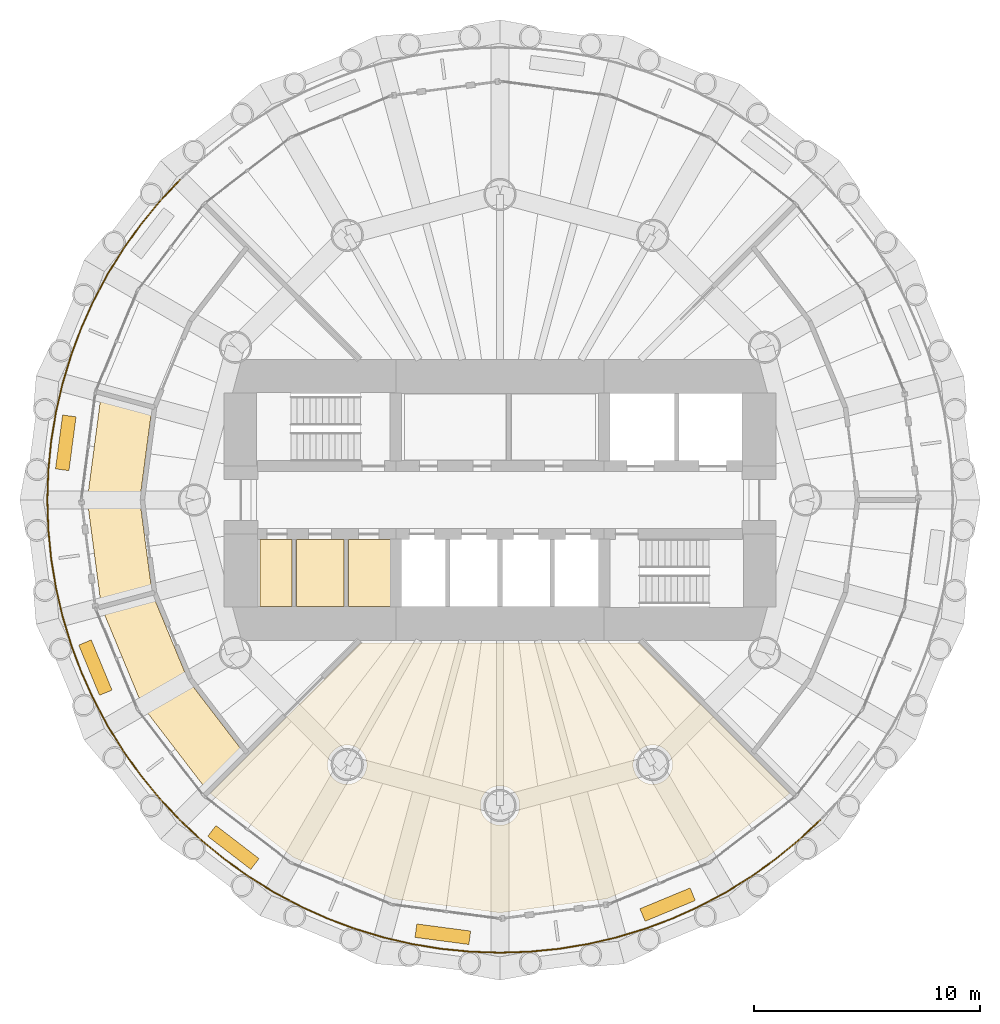
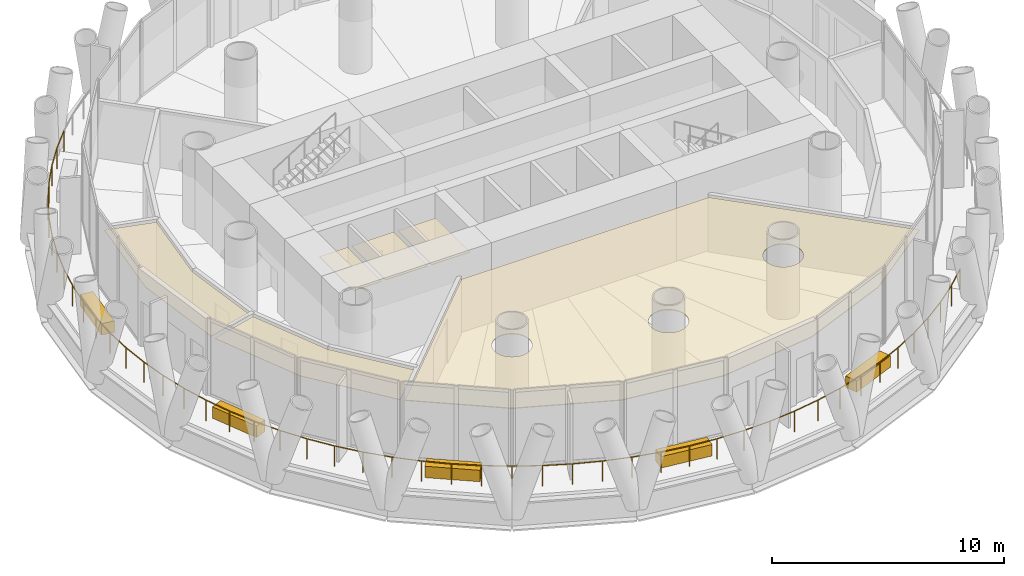
# One storey, part 10 of 12: 11 coverings, 2 railings.
"""IFC4 building model written with IfcOpenShell, lengths in metres."""

from ifc_helpers import new_model, si_unit, direction, frame, origin, origin_2d, place, context, subcontext, project, spatial, polyline, rectangle, circle, outline, extrude, material, layer, layer_set, type_object, element, save


model = new_model("IFC4")

# Units and contexts
model_context = context("Model", 3, precision=1e-05, world=origin(), true_north=direction((0.0, 1.0)))
body_context = subcontext(model_context, "Body", "Model", "MODEL_VIEW")
ifc_project = project(units=[si_unit("LENGTHUNIT", "METRE"), si_unit("AREAUNIT", "SQUARE_METRE"), si_unit("VOLUMEUNIT", "CUBIC_METRE"), si_unit("PLANEANGLEUNIT", "RADIAN"), si_unit("MASSUNIT", "GRAM", prefix="KILO")], contexts=[model_context])

# Site, building, storey
site_placement = place(None, origin())
site = spatial("IfcSite", under=ifc_project, at=site_placement, CompositionType="ELEMENT")
building_placement = place(site_placement, origin())
building = spatial("IfcBuilding", under=site, at=building_placement, Name="Qaws Media Tower", CompositionType="ELEMENT")
storey_placement = place(building_placement, frame((0.0, 0.0, 278.0)))
storey = spatial("IfcBuildingStorey", under=building, at=storey_placement, Name="L64", CompositionType="ELEMENT", Elevation=278.0)

# Covering
ifc_material_1 = material(Name="40 perforated acoustic panels with mineral wool backing, suspended", Category="mineral fibre")
ifc_layer_1 = layer(ifc_material_1, 0.0400390625)
ifc_layer_set_1 = layer_set([ifc_layer_1], Name="Acoustic panel ceiling 40")
covering_type_1 = type_object("IfcCoveringType", Name="Acoustic panel ceiling 40", PredefinedType="CEILING", material=ifc_layer_set_1)
covering_1_placement = place(storey_placement, frame((0.0, 0.0, 2.85009765625)))
element("IfcCovering", 1, at=covering_1_placement, inside=storey, type_object=covering_type_1, Name="CL3 ceiling L64-07 Private dining room", PredefinedType="CEILING", context=body_context, shape_type="SweptSolid", body=[
    extrude(outline(polyline([(69.11767578125, 34.207763671875), (64.719482421875, 32.385986328125), (60.0, 31.764892578125), (55.280517578125, 32.385986328125), (50.88232421875, 34.207763671875), (47.19580078125, 37.03662109375), (53.8466796875, 43.6875), (66.1533203125, 43.6875), (72.80419921875, 37.03662109375), (69.11767578125, 34.207763671875)]), holes=[polyline([(54.09130859375, 38.083251953125), (54.113525390625, 38.195068359375), (54.12109375, 38.30859375), (54.113525390625, 38.42236328125), (54.09130859375, 38.5341796875), (54.0546875, 38.64208984375), (54.00439453125, 38.744140625), (53.94091796875, 38.8388671875), (53.865966796875, 38.924560546875), (53.7802734375, 38.999755859375), (53.685546875, 39.06298828125), (53.583251953125, 39.11328125), (53.475341796875, 39.14990234375), (53.36376953125, 39.172119140625), (53.25, 39.1796875), (53.13623046875, 39.172119140625), (53.024658203125, 39.14990234375), (52.916748046875, 39.11328125), (52.814453125, 39.06298828125), (52.7197265625, 38.999755859375), (52.634033203125, 38.924560546875), (52.55908203125, 38.8388671875), (52.49560546875, 38.744140625), (52.4453125, 38.64208984375), (52.40869140625, 38.5341796875), (52.386474609375, 38.42236328125), (52.37890625, 38.30859375), (52.386474609375, 38.195068359375), (52.40869140625, 38.083251953125), (52.4453125, 37.975341796875), (52.49560546875, 37.873291015625), (52.55908203125, 37.7783203125), (52.634033203125, 37.69287109375), (52.7197265625, 37.61767578125), (52.814453125, 37.55419921875), (52.916748046875, 37.50390625), (53.024658203125, 37.46728515625), (53.13623046875, 37.445068359375), (53.25, 37.437744140625), (53.36376953125, 37.445068359375), (53.475341796875, 37.46728515625), (53.583251953125, 37.50390625), (53.685546875, 37.55419921875), (53.7802734375, 37.61767578125), (53.865966796875, 37.69287109375), (53.94091796875, 37.7783203125), (54.00439453125, 37.873291015625), (54.0546875, 37.975341796875), (54.09130859375, 38.083251953125)]), polyline([(60.84130859375, 36.274658203125), (60.863525390625, 36.38623046875), (60.87109375, 36.5), (60.863525390625, 36.61376953125), (60.84130859375, 36.725341796875), (60.8046875, 36.833251953125), (60.75439453125, 36.935546875), (60.69091796875, 37.0302734375), (60.615966796875, 37.115966796875), (60.5302734375, 37.19091796875), (60.435546875, 37.25439453125), (60.333251953125, 37.3046875), (60.225341796875, 37.34130859375), (60.11376953125, 37.363525390625), (60.0, 37.37109375), (59.88623046875, 37.363525390625), (59.774658203125, 37.34130859375), (59.666748046875, 37.3046875), (59.564453125, 37.25439453125), (59.4697265625, 37.19091796875), (59.384033203125, 37.115966796875), (59.30908203125, 37.0302734375), (59.24560546875, 36.935546875), (59.1953125, 36.833251953125), (59.15869140625, 36.725341796875), (59.136474609375, 36.61376953125), (59.12890625, 36.5), (59.136474609375, 36.38623046875), (59.15869140625, 36.274658203125), (59.1953125, 36.166748046875), (59.24560546875, 36.064453125), (59.30908203125, 35.9697265625), (59.384033203125, 35.884033203125), (59.4697265625, 35.80908203125), (59.564453125, 35.74560546875), (59.666748046875, 35.6953125), (59.774658203125, 35.65869140625), (59.88623046875, 35.636474609375), (60.0, 35.62890625), (60.11376953125, 35.636474609375), (60.225341796875, 35.65869140625), (60.333251953125, 35.6953125), (60.435546875, 35.74560546875), (60.5302734375, 35.80908203125), (60.615966796875, 35.884033203125), (60.69091796875, 35.9697265625), (60.75439453125, 36.064453125), (60.8046875, 36.166748046875), (60.84130859375, 36.274658203125)]), polyline([(67.5546875, 37.975341796875), (67.59130859375, 38.083251953125), (67.613525390625, 38.195068359375), (67.62109375, 38.30859375), (67.613525390625, 38.42236328125), (67.59130859375, 38.5341796875), (67.5546875, 38.64208984375), (67.50439453125, 38.744140625), (67.44091796875, 38.8388671875), (67.365966796875, 38.924560546875), (67.2802734375, 38.999755859375), (67.185546875, 39.06298828125), (67.083251953125, 39.11328125), (66.975341796875, 39.14990234375), (66.86376953125, 39.172119140625), (66.75, 39.1796875), (66.63623046875, 39.172119140625), (66.524658203125, 39.14990234375), (66.416748046875, 39.11328125), (66.314453125, 39.06298828125), (66.2197265625, 38.999755859375), (66.134033203125, 38.924560546875), (66.05908203125, 38.8388671875), (65.99560546875, 38.744140625), (65.9453125, 38.64208984375), (65.90869140625, 38.5341796875), (65.886474609375, 38.42236328125), (65.87890625, 38.30859375), (65.886474609375, 38.195068359375), (65.90869140625, 38.083251953125), (65.9453125, 37.975341796875), (65.99560546875, 37.873291015625), (66.05908203125, 37.7783203125), (66.134033203125, 37.69287109375), (66.2197265625, 37.61767578125), (66.314453125, 37.55419921875), (66.416748046875, 37.50390625), (66.524658203125, 37.46728515625), (66.63623046875, 37.445068359375), (66.75, 37.437744140625), (66.86376953125, 37.445068359375), (66.975341796875, 37.46728515625), (67.083251953125, 37.50390625), (67.185546875, 37.55419921875), (67.2802734375, 37.61767578125), (67.365966796875, 37.69287109375), (67.44091796875, 37.7783203125), (67.50439453125, 37.873291015625), (67.5546875, 37.975341796875)])]), origin(), (0.0, 0.0, 1.0), 0.039794921875),
])

# Railings
ifc_material_2 = material(Name="Stainless steel and glass guard", Category="steel")
railing_type = type_object("IfcRailingType", Name="Balcony guard 1100", PredefinedType="GUARDRAIL", material=ifc_material_2)
railing_1_placement = place(storey_placement, frame((45.85791015625, 64.14208984375, 0.0)))
element("IfcRailing", 2, at=railing_1_placement, inside=storey, type_object=railing_type, Name="GR1 balcony guard L64-2", PredefinedType="GUARDRAIL", context=body_context, shape_type="SweptSolid", body=[
    extrude(circle(Radius=0.02392578125, at=origin_2d()), frame((0.0, 0.0, 1.076171875), z_axis=(-0.683692877753, -0.729769860237, 0.0), x_axis=(0.729769860237, -0.683692877753, 0.0)), (0.0, 0.0, 1.0), 1.308837890625),
    extrude(circle(Radius=0.02392578125, at=origin_2d()), frame((-0.894775390625, -0.955078125, 1.076171875), z_axis=(-0.634405220754, -0.773000657102, 0.0), x_axis=(0.773000657102, -0.634405220754, 0.0)), (0.0, 0.0, 1.0), 1.308837890625),
    extrude(circle(Radius=0.02392578125, at=origin_2d()), frame((-1.72509765625, -1.966796875, 1.076171875), z_axis=(-0.582366936008, -0.812926043281, 0.0), x_axis=(0.812926043281, -0.582366936008, 0.0)), (0.0, 0.0, 1.0), 1.308837890625),
    extrude(circle(Radius=0.02392578125, at=origin_2d()), frame((-2.4873046875, -3.03076171875, 1.076171875), z_axis=(-0.528119576153, -0.849170014358, 0.0), x_axis=(0.849170014358, -0.528119576153, 0.0)), (0.0, 0.0, 1.0), 1.308837890625),
    extrude(circle(Radius=0.02392578125, at=origin_2d()), frame((-3.178466796875, -4.14208984375, 1.076171875), z_axis=(-0.471372268178, -0.881934342677, 0.0), x_axis=(0.881934342677, -0.471372268178, 0.0)), (0.0, 0.0, 1.0), 1.308837890625),
    extrude(circle(Radius=0.02392578125, at=origin_2d()), frame((-3.79541015625, -5.29638671875, 1.076171875), z_axis=(-0.412636063644, -0.910895975938, 0.0), x_axis=(0.910895975938, -0.412636063644, 0.0)), (0.0, 0.0, 1.0), 1.308837890625),
    extrude(circle(Radius=0.02392578125, at=origin_2d()), frame((-4.33544921875, -6.488525390625, 1.076171875), z_axis=(-0.352370123393, -0.935860724756, 0.0), x_axis=(0.935860724756, -0.352370123393, 0.0)), (0.0, 0.0, 1.0), 1.308837890625),
    extrude(circle(Radius=0.02392578125, at=origin_2d()), frame((-4.796630859375, -7.71337890625, 1.076171875), z_axis=(-0.290255896027, -0.95694906595, 0.0), x_axis=(0.95694906595, -0.290255896027, 0.0)), (0.0, 0.0, 1.0), 1.308837890625),
    extrude(circle(Radius=0.02392578125, at=origin_2d()), frame((-5.176513671875, -8.9658203125, 1.076171875), z_axis=(-0.227052677428, -0.973882478368, 0.0), x_axis=(0.973882478368, -0.227052677428, 0.0)), (0.0, 0.0, 1.0), 1.30859375),
    extrude(circle(Radius=0.02392578125, at=origin_2d()), frame((-5.4736328125, -10.240234375, 1.076171875), z_axis=(-0.162855987782, -0.986649850374, 0.0), x_axis=(0.986649850374, -0.162855987782, 0.0)), (0.0, 0.0, 1.0), 1.308837890625),
    extrude(circle(Radius=0.02392578125, at=origin_2d()), frame((-5.686767578125, -11.531494140625, 1.076171875), z_axis=(-0.098118447075, -0.995174743622, 0.0), x_axis=(0.995174743622, -0.098118447075, 0.0)), (0.0, 0.0, 1.0), 1.308837890625),
    extrude(circle(Radius=0.02392578125, at=origin_2d()), frame((-5.815185546875, -12.833984375, 1.076171875), z_axis=(-0.032644033644, -0.999467041511, 0.0), x_axis=(0.999467041511, -0.032644033644, 0.0)), (0.0, 0.0, 1.0), 1.308837890625),
    extrude(circle(Radius=0.02392578125, at=origin_2d()), frame((-5.85791015625, -14.14208984375, 1.076171875), z_axis=(0.032644033644, -0.999467041511, 0.0), x_axis=(0.999467041511, 0.032644033644, 0.0)), (0.0, 0.0, 1.0), 1.308837890625),
    extrude(circle(Radius=0.02392578125, at=origin_2d()), frame((-5.815185546875, -15.4501953125, 1.076171875), z_axis=(0.098118447075, -0.995174743622, 0.0), x_axis=(0.995174743622, 0.098118447075, 0.0)), (0.0, 0.0, 1.0), 1.308837890625),
    extrude(circle(Radius=0.02392578125, at=origin_2d()), frame((-5.686767578125, -16.752685546875, 1.076171875), z_axis=(0.162855987782, -0.986649850374, 0.0), x_axis=(0.986649850374, 0.162855987782, 0.0)), (0.0, 0.0, 1.0), 1.308837890625),
    extrude(circle(Radius=0.02392578125, at=origin_2d()), frame((-5.4736328125, -18.0439453125, 1.076171875), z_axis=(0.227052677428, -0.973882478368, 0.0), x_axis=(0.973882478368, 0.227052677428, 0.0)), (0.0, 0.0, 1.0), 1.30859375),
    extrude(circle(Radius=0.02392578125, at=origin_2d()), frame((-5.176513671875, -19.318359375, 1.076171875), z_axis=(0.290255896027, -0.95694906595, 0.0), x_axis=(0.95694906595, 0.290255896027, 0.0)), (0.0, 0.0, 1.0), 1.308837890625),
    extrude(circle(Radius=0.02392578125, at=origin_2d()), frame((-4.796630859375, -20.57080078125, 1.076171875), z_axis=(0.352370123393, -0.935860724756, 0.0), x_axis=(0.935860724756, 0.352370123393, 0.0)), (0.0, 0.0, 1.0), 1.308837890625),
    extrude(circle(Radius=0.02392578125, at=origin_2d()), frame((-4.33544921875, -21.795654296875, 1.076171875), z_axis=(0.412636063644, -0.910895975938, 0.0), x_axis=(0.910895975938, 0.412636063644, 0.0)), (0.0, 0.0, 1.0), 1.308837890625),
    extrude(circle(Radius=0.02392578125, at=origin_2d()), frame((-3.79541015625, -22.98779296875, 1.076171875), z_axis=(0.471372268178, -0.881934342677, 0.0), x_axis=(0.881934342677, 0.471372268178, 0.0)), (0.0, 0.0, 1.0), 1.308837890625),
    extrude(circle(Radius=0.02392578125, at=origin_2d()), frame((-3.178466796875, -24.14208984375, 1.076171875), z_axis=(0.528119576153, -0.849170014358, 0.0), x_axis=(0.849170014358, 0.528119576153, 0.0)), (0.0, 0.0, 1.0), 1.308837890625),
    extrude(circle(Radius=0.02392578125, at=origin_2d()), frame((-2.4873046875, -25.25341796875, 1.076171875), z_axis=(0.582366936008, -0.812926043281, 0.0), x_axis=(0.812926043281, 0.582366936008, 0.0)), (0.0, 0.0, 1.0), 1.308837890625),
    extrude(circle(Radius=0.02392578125, at=origin_2d()), frame((-1.72509765625, -26.3173828125, 1.076171875), z_axis=(0.634405220754, -0.773000657102, 0.0), x_axis=(0.773000657102, 0.634405220754, 0.0)), (0.0, 0.0, 1.0), 1.308837890625),
    extrude(circle(Radius=0.02392578125, at=origin_2d()), frame((-0.894775390625, -27.3291015625, 1.076171875), z_axis=(0.683692877753, -0.729769860237, 0.0), x_axis=(0.729769860237, 0.683692877753, 0.0)), (0.0, 0.0, 1.0), 1.308837890625),
    extrude(circle(Radius=0.02099609375, at=origin_2d()), origin(), (0.0, 0.0, 1.0), 1.052001953125),
    extrude(circle(Radius=0.02099609375, at=origin_2d()), frame((-0.894775390625, -0.955078125, 0.0)), (0.0, 0.0, 1.0), 1.052001953125),
    extrude(circle(Radius=0.02099609375, at=origin_2d()), frame((-1.72509765625, -1.966796875, 0.0)), (0.0, 0.0, 1.0), 1.052001953125),
    extrude(circle(Radius=0.02099609375, at=origin_2d()), frame((-2.4873046875, -3.03076171875, 0.0)), (0.0, 0.0, 1.0), 1.052001953125),
    extrude(circle(Radius=0.02099609375, at=origin_2d()), frame((-3.178466796875, -4.14208984375, 0.0)), (0.0, 0.0, 1.0), 1.052001953125),
    extrude(circle(Radius=0.02099609375, at=origin_2d()), frame((-3.79541015625, -5.29638671875, 0.0)), (0.0, 0.0, 1.0), 1.052001953125),
    extrude(circle(Radius=0.02099609375, at=origin_2d()), frame((-4.33544921875, -6.488525390625, 0.0)), (0.0, 0.0, 1.0), 1.052001953125),
    extrude(circle(Radius=0.02099609375, at=origin_2d()), frame((-4.796630859375, -7.71337890625, 0.0)), (0.0, 0.0, 1.0), 1.052001953125),
    extrude(circle(Radius=0.02099609375, at=origin_2d()), frame((-5.176513671875, -8.9658203125, 0.0)), (0.0, 0.0, 1.0), 1.052001953125),
    extrude(circle(Radius=0.02099609375, at=origin_2d()), frame((-5.4736328125, -10.240234375, 0.0)), (0.0, 0.0, 1.0), 1.052001953125),
    extrude(circle(Radius=0.02099609375, at=origin_2d()), frame((-5.686767578125, -11.531494140625, 0.0)), (0.0, 0.0, 1.0), 1.052001953125),
    extrude(circle(Radius=0.02099609375, at=origin_2d()), frame((-5.815185546875, -12.833984375, 0.0)), (0.0, 0.0, 1.0), 1.052001953125),
    extrude(circle(Radius=0.02099609375, at=origin_2d()), frame((-5.85791015625, -14.14208984375, 0.0)), (0.0, 0.0, 1.0), 1.052001953125),
    extrude(circle(Radius=0.02099609375, at=origin_2d()), frame((-5.815185546875, -15.4501953125, 0.0)), (0.0, 0.0, 1.0), 1.052001953125),
    extrude(circle(Radius=0.02099609375, at=origin_2d()), frame((-5.686767578125, -16.752685546875, 0.0)), (0.0, 0.0, 1.0), 1.052001953125),
    extrude(circle(Radius=0.02099609375, at=origin_2d()), frame((-5.4736328125, -18.0439453125, 0.0)), (0.0, 0.0, 1.0), 1.052001953125),
    extrude(circle(Radius=0.02099609375, at=origin_2d()), frame((-5.176513671875, -19.318359375, 0.0)), (0.0, 0.0, 1.0), 1.052001953125),
    extrude(circle(Radius=0.02099609375, at=origin_2d()), frame((-4.796630859375, -20.57080078125, 0.0)), (0.0, 0.0, 1.0), 1.052001953125),
    extrude(circle(Radius=0.02099609375, at=origin_2d()), frame((-4.33544921875, -21.795654296875, 0.0)), (0.0, 0.0, 1.0), 1.052001953125),
    extrude(circle(Radius=0.02099609375, at=origin_2d()), frame((-3.79541015625, -22.98779296875, 0.0)), (0.0, 0.0, 1.0), 1.052001953125),
    extrude(circle(Radius=0.02099609375, at=origin_2d()), frame((-3.178466796875, -24.14208984375, 0.0)), (0.0, 0.0, 1.0), 1.052001953125),
    extrude(circle(Radius=0.02099609375, at=origin_2d()), frame((-2.4873046875, -25.25341796875, 0.0)), (0.0, 0.0, 1.0), 1.052001953125),
    extrude(circle(Radius=0.02099609375, at=origin_2d()), frame((-1.72509765625, -26.3173828125, 0.0)), (0.0, 0.0, 1.0), 1.052001953125),
    extrude(circle(Radius=0.02099609375, at=origin_2d()), frame((-0.894775390625, -27.3291015625, 0.0)), (0.0, 0.0, 1.0), 1.052001953125),
    extrude(circle(Radius=0.02099609375, at=origin_2d()), frame((0.0, -28.2841796875, 0.0)), (0.0, 0.0, 1.0), 1.052001953125),
])
railing_2_placement = place(storey_placement, frame((45.85791015625, 35.85791015625, 0.0)))
element("IfcRailing", 3, at=railing_2_placement, inside=storey, type_object=railing_type, Name="GR1 balcony guard L64-3", PredefinedType="GUARDRAIL", context=body_context, shape_type="SweptSolid", body=[
    extrude(circle(Radius=0.02392578125, at=origin_2d()), frame((0.0, 0.0, 1.076171875), z_axis=(0.729769860237, -0.683692877753, 0.0), x_axis=(0.683692877753, 0.729769860237, 0.0)), (0.0, 0.0, 1.0), 1.308837890625),
    extrude(circle(Radius=0.02392578125, at=origin_2d()), frame((0.955078125, -0.894775390625, 1.076171875), z_axis=(0.773000657102, -0.634405220754, 0.0), x_axis=(0.634405220754, 0.773000657102, 0.0)), (0.0, 0.0, 1.0), 1.308837890625),
    extrude(circle(Radius=0.02392578125, at=origin_2d()), frame((1.966796875, -1.72509765625, 1.076171875), z_axis=(0.812926043281, -0.582366936008, 0.0), x_axis=(0.582366936008, 0.812926043281, 0.0)), (0.0, 0.0, 1.0), 1.308837890625),
    extrude(circle(Radius=0.02392578125, at=origin_2d()), frame((3.03076171875, -2.4873046875, 1.076171875), z_axis=(0.849170014358, -0.528119576153, 0.0), x_axis=(0.528119576153, 0.849170014358, 0.0)), (0.0, 0.0, 1.0), 1.308837890625),
    extrude(circle(Radius=0.02392578125, at=origin_2d()), frame((4.14208984375, -3.178466796875, 1.076171875), z_axis=(0.881934342677, -0.471372268178, 0.0), x_axis=(0.471372268178, 0.881934342677, 0.0)), (0.0, 0.0, 1.0), 1.308837890625),
    extrude(circle(Radius=0.02392578125, at=origin_2d()), frame((5.29638671875, -3.79541015625, 1.076171875), z_axis=(0.910895975938, -0.412636063644, 0.0), x_axis=(0.412636063644, 0.910895975938, 0.0)), (0.0, 0.0, 1.0), 1.308837890625),
    extrude(circle(Radius=0.02392578125, at=origin_2d()), frame((6.488525390625, -4.33544921875, 1.076171875), z_axis=(0.935860724756, -0.352370123393, 0.0), x_axis=(0.352370123393, 0.935860724756, 0.0)), (0.0, 0.0, 1.0), 1.308837890625),
    extrude(circle(Radius=0.02392578125, at=origin_2d()), frame((7.71337890625, -4.796630859375, 1.076171875), z_axis=(0.95694906595, -0.290255896027, 0.0), x_axis=(0.290255896027, 0.95694906595, 0.0)), (0.0, 0.0, 1.0), 1.308837890625),
    extrude(circle(Radius=0.02392578125, at=origin_2d()), frame((8.9658203125, -5.176513671875, 1.076171875), z_axis=(0.973882478368, -0.227052677428, 0.0), x_axis=(0.227052677428, 0.973882478368, 0.0)), (0.0, 0.0, 1.0), 1.30859375),
    extrude(circle(Radius=0.02392578125, at=origin_2d()), frame((10.240234375, -5.4736328125, 1.076171875), z_axis=(0.986649850374, -0.162855987782, 0.0), x_axis=(0.162855987782, 0.986649850374, 0.0)), (0.0, 0.0, 1.0), 1.308837890625),
    extrude(circle(Radius=0.02392578125, at=origin_2d()), frame((11.531494140625, -5.686767578125, 1.076171875), z_axis=(0.995174743622, -0.098118447075, 0.0), x_axis=(0.098118447075, 0.995174743622, 0.0)), (0.0, 0.0, 1.0), 1.308837890625),
    extrude(circle(Radius=0.02392578125, at=origin_2d()), frame((12.833984375, -5.815185546875, 1.076171875), z_axis=(0.999467041511, -0.032644033644, 0.0), x_axis=(0.032644033644, 0.999467041511, 0.0)), (0.0, 0.0, 1.0), 1.308837890625),
    extrude(circle(Radius=0.02392578125, at=origin_2d()), frame((14.14208984375, -5.85791015625, 1.076171875), z_axis=(0.999467041511, 0.032644033644, 0.0), x_axis=(-0.032644033644, 0.999467041511, 0.0)), (0.0, 0.0, 1.0), 1.308837890625),
    extrude(circle(Radius=0.02392578125, at=origin_2d()), frame((15.4501953125, -5.815185546875, 1.076171875), z_axis=(0.995174743622, 0.098118447075, 0.0), x_axis=(-0.098118447075, 0.995174743622, 0.0)), (0.0, 0.0, 1.0), 1.308837890625),
    extrude(circle(Radius=0.02392578125, at=origin_2d()), frame((16.752685546875, -5.686767578125, 1.076171875), z_axis=(0.986649850374, 0.162855987782, 0.0), x_axis=(-0.162855987782, 0.986649850374, 0.0)), (0.0, 0.0, 1.0), 1.308837890625),
    extrude(circle(Radius=0.02392578125, at=origin_2d()), frame((18.0439453125, -5.4736328125, 1.076171875), z_axis=(0.973882478368, 0.227052677428, 0.0), x_axis=(-0.227052677428, 0.973882478368, 0.0)), (0.0, 0.0, 1.0), 1.30859375),
    extrude(circle(Radius=0.02392578125, at=origin_2d()), frame((19.318359375, -5.176513671875, 1.076171875), z_axis=(0.95694906595, 0.290255896027, 0.0), x_axis=(-0.290255896027, 0.95694906595, 0.0)), (0.0, 0.0, 1.0), 1.308837890625),
    extrude(circle(Radius=0.02392578125, at=origin_2d()), frame((20.57080078125, -4.796630859375, 1.076171875), z_axis=(0.935860724756, 0.352370123393, 0.0), x_axis=(-0.352370123393, 0.935860724756, 0.0)), (0.0, 0.0, 1.0), 1.308837890625),
    extrude(circle(Radius=0.02392578125, at=origin_2d()), frame((21.795654296875, -4.33544921875, 1.076171875), z_axis=(0.910895975938, 0.412636063644, 0.0), x_axis=(-0.412636063644, 0.910895975938, 0.0)), (0.0, 0.0, 1.0), 1.308837890625),
    extrude(circle(Radius=0.02392578125, at=origin_2d()), frame((22.98779296875, -3.79541015625, 1.076171875), z_axis=(0.881934342677, 0.471372268178, 0.0), x_axis=(-0.471372268178, 0.881934342677, 0.0)), (0.0, 0.0, 1.0), 1.308837890625),
    extrude(circle(Radius=0.02392578125, at=origin_2d()), frame((24.14208984375, -3.178466796875, 1.076171875), z_axis=(0.849170014358, 0.528119576153, 0.0), x_axis=(-0.528119576153, 0.849170014358, 0.0)), (0.0, 0.0, 1.0), 1.308837890625),
    extrude(circle(Radius=0.02392578125, at=origin_2d()), frame((25.25341796875, -2.4873046875, 1.076171875), z_axis=(0.812926043281, 0.582366936008, 0.0), x_axis=(-0.582366936008, 0.812926043281, 0.0)), (0.0, 0.0, 1.0), 1.308837890625),
    extrude(circle(Radius=0.02392578125, at=origin_2d()), frame((26.3173828125, -1.72509765625, 1.076171875), z_axis=(0.773000657102, 0.634405220754, 0.0), x_axis=(-0.634405220754, 0.773000657102, 0.0)), (0.0, 0.0, 1.0), 1.308837890625),
    extrude(circle(Radius=0.02392578125, at=origin_2d()), frame((27.3291015625, -0.894775390625, 1.076171875), z_axis=(0.729769860237, 0.683692877753, 0.0), x_axis=(-0.683692877753, 0.729769860237, 0.0)), (0.0, 0.0, 1.0), 1.308837890625),
    extrude(circle(Radius=0.02099609375, at=origin_2d()), origin(), (0.0, 0.0, 1.0), 1.052001953125),
    extrude(circle(Radius=0.02099609375, at=origin_2d()), frame((0.955078125, -0.894775390625, 0.0)), (0.0, 0.0, 1.0), 1.052001953125),
    extrude(circle(Radius=0.02099609375, at=origin_2d()), frame((1.966796875, -1.72509765625, 0.0)), (0.0, 0.0, 1.0), 1.052001953125),
    extrude(circle(Radius=0.02099609375, at=origin_2d()), frame((3.03076171875, -2.4873046875, 0.0)), (0.0, 0.0, 1.0), 1.052001953125),
    extrude(circle(Radius=0.02099609375, at=origin_2d()), frame((4.14208984375, -3.178466796875, 0.0)), (0.0, 0.0, 1.0), 1.052001953125),
    extrude(circle(Radius=0.02099609375, at=origin_2d()), frame((5.29638671875, -3.79541015625, 0.0)), (0.0, 0.0, 1.0), 1.052001953125),
    extrude(circle(Radius=0.02099609375, at=origin_2d()), frame((6.488525390625, -4.33544921875, 0.0)), (0.0, 0.0, 1.0), 1.052001953125),
    extrude(circle(Radius=0.02099609375, at=origin_2d()), frame((7.71337890625, -4.796630859375, 0.0)), (0.0, 0.0, 1.0), 1.052001953125),
    extrude(circle(Radius=0.02099609375, at=origin_2d()), frame((8.9658203125, -5.176513671875, 0.0)), (0.0, 0.0, 1.0), 1.052001953125),
    extrude(circle(Radius=0.02099609375, at=origin_2d()), frame((10.240234375, -5.4736328125, 0.0)), (0.0, 0.0, 1.0), 1.052001953125),
    extrude(circle(Radius=0.02099609375, at=origin_2d()), frame((11.531494140625, -5.686767578125, 0.0)), (0.0, 0.0, 1.0), 1.052001953125),
    extrude(circle(Radius=0.02099609375, at=origin_2d()), frame((12.833984375, -5.815185546875, 0.0)), (0.0, 0.0, 1.0), 1.052001953125),
    extrude(circle(Radius=0.02099609375, at=origin_2d()), frame((14.14208984375, -5.85791015625, 0.0)), (0.0, 0.0, 1.0), 1.052001953125),
    extrude(circle(Radius=0.02099609375, at=origin_2d()), frame((15.4501953125, -5.815185546875, 0.0)), (0.0, 0.0, 1.0), 1.052001953125),
    extrude(circle(Radius=0.02099609375, at=origin_2d()), frame((16.752685546875, -5.686767578125, 0.0)), (0.0, 0.0, 1.0), 1.052001953125),
    extrude(circle(Radius=0.02099609375, at=origin_2d()), frame((18.0439453125, -5.4736328125, 0.0)), (0.0, 0.0, 1.0), 1.052001953125),
    extrude(circle(Radius=0.02099609375, at=origin_2d()), frame((19.318359375, -5.176513671875, 0.0)), (0.0, 0.0, 1.0), 1.052001953125),
    extrude(circle(Radius=0.02099609375, at=origin_2d()), frame((20.57080078125, -4.796630859375, 0.0)), (0.0, 0.0, 1.0), 1.052001953125),
    extrude(circle(Radius=0.02099609375, at=origin_2d()), frame((21.795654296875, -4.33544921875, 0.0)), (0.0, 0.0, 1.0), 1.052001953125),
    extrude(circle(Radius=0.02099609375, at=origin_2d()), frame((22.98779296875, -3.79541015625, 0.0)), (0.0, 0.0, 1.0), 1.052001953125),
    extrude(circle(Radius=0.02099609375, at=origin_2d()), frame((24.14208984375, -3.178466796875, 0.0)), (0.0, 0.0, 1.0), 1.052001953125),
    extrude(circle(Radius=0.02099609375, at=origin_2d()), frame((25.25341796875, -2.4873046875, 0.0)), (0.0, 0.0, 1.0), 1.052001953125),
    extrude(circle(Radius=0.02099609375, at=origin_2d()), frame((26.3173828125, -1.72509765625, 0.0)), (0.0, 0.0, 1.0), 1.052001953125),
    extrude(circle(Radius=0.02099609375, at=origin_2d()), frame((27.3291015625, -0.894775390625, 0.0)), (0.0, 0.0, 1.0), 1.052001953125),
    extrude(circle(Radius=0.02099609375, at=origin_2d()), frame((28.2841796875, 0.0, 0.0)), (0.0, 0.0, 1.0), 1.052001953125),
])

# Coverings
ifc_material_3 = material(Name="600 x 600 mineral fibre tiles in exposed grid, suspended", Category="mineral fibre")
ifc_layer_2 = layer(ifc_material_3, 0.02001953125)
ifc_layer_set_2 = layer_set([ifc_layer_2], Name="Mineral fibre tile ceiling 20")
covering_type_2 = type_object("IfcCoveringType", Name="Mineral fibre tile ceiling 20", PredefinedType="CEILING", material=ifc_layer_set_2)
covering_2_placement = place(storey_placement, frame((0.0, 0.0, 2.85009765625)))
element("IfcCovering", 4, at=covering_2_placement, inside=storey, type_object=covering_type_2, Name="CL1 ceiling L64-C04 Cleaner's room", PredefinedType="CEILING", context=body_context, shape_type="SweptSolid", body=[
    extrude(outline(polyline([(49.39990234375, 45.300048828125), (49.39990234375, 48.25), (50.800048828125, 48.25), (50.800048828125, 45.300048828125), (49.39990234375, 45.300048828125)])), origin(), (0.0, 0.0, 1.0), 0.02001953125),
])
covering_3_placement = place(storey_placement, frame((0.0, 0.0, 2.85009765625)))
element("IfcCovering", 5, at=covering_3_placement, inside=storey, type_object=covering_type_2, Name="CL1 ceiling L64-C06 Mothers' room", PredefinedType="CEILING", context=body_context, shape_type="SweptSolid", body=[
    extrude(outline(polyline([(53.300048828125, 45.300048828125), (53.300048828125, 48.25), (55.199951171875, 48.25), (55.199951171875, 45.300048828125), (53.300048828125, 45.300048828125)])), origin(), (0.0, 0.0, 1.0), 0.02001953125),
])
ifc_material_4 = material(Name="Precast concrete planter with trailing planting", Category="concrete")
ifc_layer_3 = layer(ifc_material_4, 0.60009765625)
ifc_layer_set_3 = layer_set([ifc_layer_3], Name="Planter 2400x600")
covering_type_3 = type_object("IfcCoveringType", Name="Planter 2400x600", PredefinedType="USERDEFINED", material=ifc_layer_set_3)
for number, where, z_axis, x_axis, name in (
    (6, (40.8154296875, 52.525634765625, 0.0), (0.0, 0.0, 1.0), (-0.13052619222, -0.991444861374, 0.0), "PL1 balcony planter L64-06"),
    (7, (42.123046875, 42.594970703125, 0.0), (0.0, 0.0, 1.0), (0.382683432365, -0.923879532511, 0.0), "PL1 balcony planter L64-07"),
    (8, (48.220458984375, 34.648681640625, 0.0), (0.0, 0.0, 1.0), (0.793353340291, -0.608761429009, 0.0), "PL1 balcony planter L64-08"),
    (9, (57.474365234375, 30.8154296875, 0.0), (0.0, 0.0, 1.0), (0.991444861374, -0.13052619222, 0.0), "PL1 balcony planter L64-09"),
    (10, (67.405029296875, 32.123046875, 0.0), (0.0, 0.0, 1.0), (0.923879532511, 0.382683432365, 0.0), "PL1 balcony planter L64-10"),
):
    element("IfcCovering", number, at=place(storey_placement, frame(where, z_axis=z_axis, x_axis=x_axis)), inside=storey, type_object=covering_type_3, Name=name, ObjectType="PLANTER", PredefinedType="USERDEFINED", context=body_context, shape_type="SweptSolid", body=[
        extrude(rectangle(XDim=2.39990234375, YDim=0.60009765625, at=origin_2d()), origin(), (0.0, 0.0, 1.0), 0.60009765625),
    ])
ifc_material_5 = material(Name="Two layers 12.5 moisture-resistant plasterboard on suspended metal furring", Category="gypsum")
ifc_layer_4 = layer(ifc_material_5, 0.02490234375)
ifc_layer_set_4 = layer_set([ifc_layer_4], Name="Plasterboard ceiling 25")
covering_type_4 = type_object("IfcCoveringType", Name="Plasterboard ceiling 25", PredefinedType="CEILING", material=ifc_layer_set_4)
covering_4_placement = place(storey_placement, frame((0.0, 0.0, 2.85009765625)))
element("IfcCovering", 11, at=covering_4_placement, inside=storey, type_object=covering_type_4, Name="CL2 ceiling L64-05 Servery", PredefinedType="CEILING", context=body_context, shape_type="SweptSolid", body=[
    extrude(outline(polyline([(41.764892578125, 50.0), (42.371337890625, 54.607177734375), (44.614013671875, 54.006103515625), (44.08642578125, 50.0), (44.614013671875, 45.993896484375), (42.371337890625, 45.392822265625), (41.764892578125, 50.0)])), origin(), (0.0, 0.0, 1.0), 0.02490234375),
])
covering_5_placement = place(storey_placement, frame((0.0, 0.0, 2.85009765625)))
element("IfcCovering", 12, at=covering_5_placement, inside=storey, type_object=covering_type_4, Name="CL2 ceiling L64-06 Guest office", PredefinedType="CEILING", context=body_context, shape_type="SweptSolid", body=[
    extrude(outline(polyline([(46.218505859375, 42.043212890625), (48.678466796875, 38.83740234375), (47.03662109375, 37.19580078125), (44.207763671875, 40.88232421875), (42.429443359375, 45.175537109375), (44.672119140625, 45.776611328125), (46.218505859375, 42.043212890625)])), origin(), (0.0, 0.0, 1.0), 0.02490234375),
])
covering_6_placement = place(storey_placement, frame((0.0, 0.0, 2.85009765625)))
element("IfcCovering", 13, at=covering_6_placement, inside=storey, type_object=covering_type_4, Name="CL2 ceiling L64-C05 Accessible WC", PredefinedType="CEILING", context=body_context, shape_type="SweptSolid", body=[
    extrude(outline(polyline([(51.0, 45.300048828125), (51.0, 48.25), (53.10009765625, 48.25), (53.10009765625, 45.300048828125), (51.0, 45.300048828125)])), origin(), (0.0, 0.0, 1.0), 0.02490234375),
])

save(model, "model.ifc")
